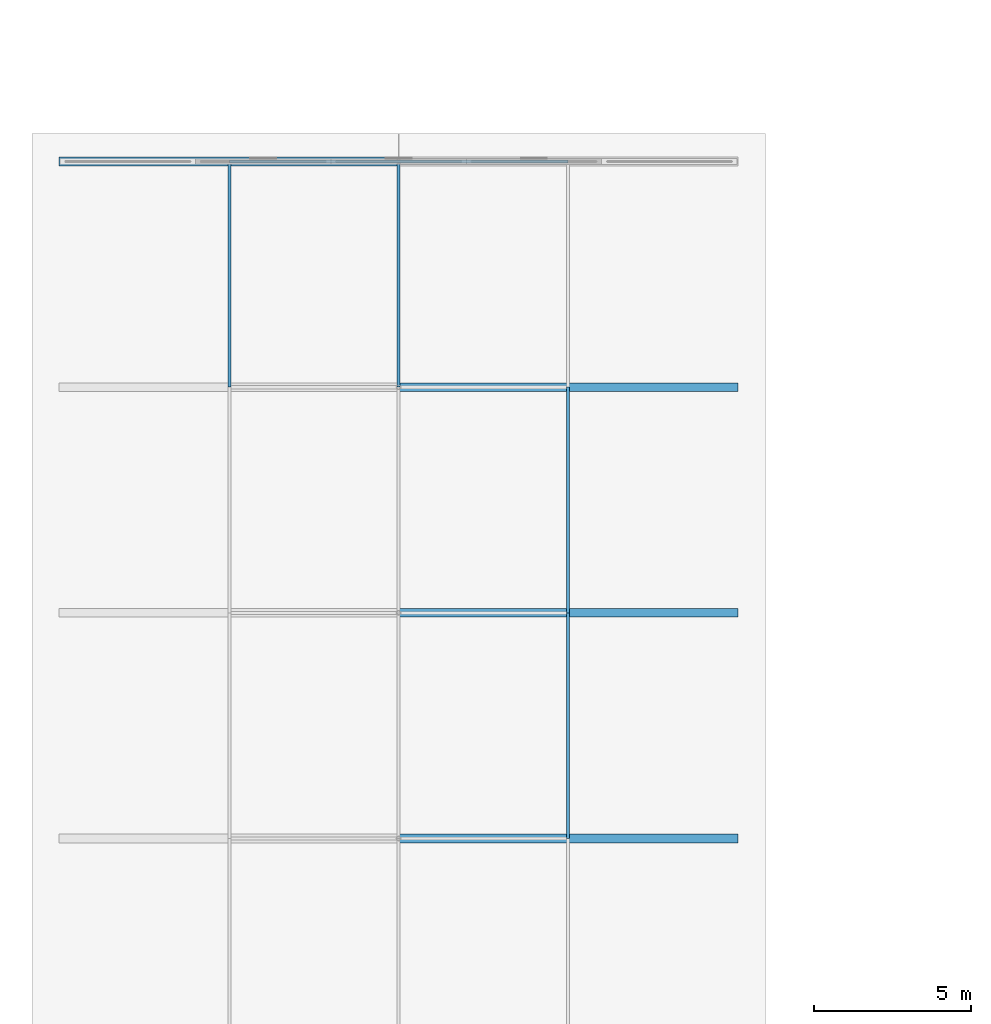
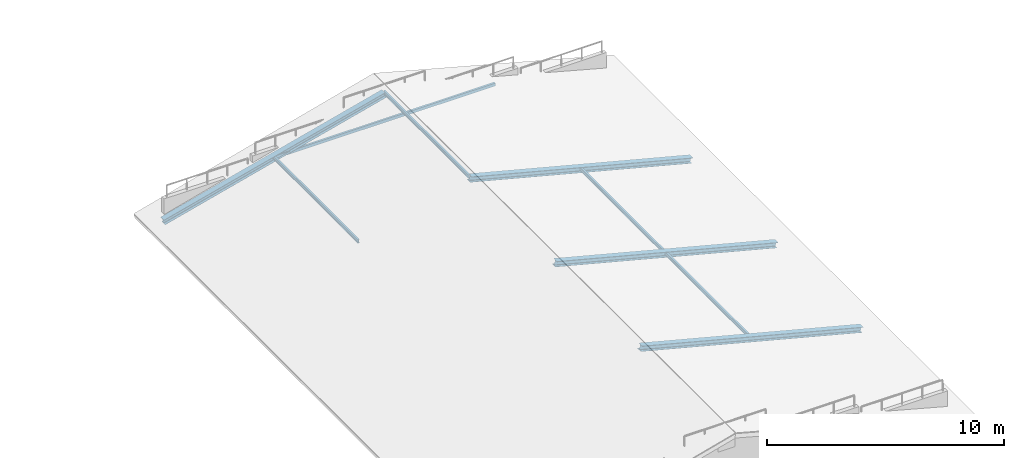
# One storey, part 17 of 65: 9 members.
"""IFC4 building model written with IfcOpenShell, lengths in metres."""

from ifc_helpers import new_model, si_unit, direction, frame, origin, origin_2d, place, context, subcontext, project, spatial, hollow_rectangle, i_section, extrude, material, material_profile, profile_set, type_object, element, save


model = new_model("IFC4")

# Units and contexts
model_context = context("Model", 3, precision=1e-05, world=origin(), true_north=direction((0.0, 1.0)))
body_context = subcontext(model_context, "Body", "Model", "MODEL_VIEW")
ifc_project = project(units=[si_unit("LENGTHUNIT", "METRE"), si_unit("AREAUNIT", "SQUARE_METRE"), si_unit("VOLUMEUNIT", "CUBIC_METRE"), si_unit("PLANEANGLEUNIT", "RADIAN"), si_unit("MASSUNIT", "GRAM", prefix="KILO"), si_unit("THERMODYNAMICTEMPERATUREUNIT", "KELVIN"), si_unit("POWERUNIT", "WATT")], contexts=[model_context])

# Site, building, storey
site_placement = place(None, origin())
site = spatial("IfcSite", under=ifc_project, at=site_placement, CompositionType="ELEMENT")
building_placement = place(site_placement, origin())
building = spatial("IfcBuilding", under=site, at=building_placement, Name="Tavuni Mirador Residences", CompositionType="ELEMENT")
storey_placement = place(building_placement, frame((0.0, 0.0, 29.699951171875)))
storey = spatial("IfcBuildingStorey", under=building, at=storey_placement, Name="L09", CompositionType="ELEMENT", Elevation=29.699951171875)

# Members
ifc_material = material(Name="Structural steel S355", Category="steel")
ifc_material_profile_1 = material_profile(ifc_material, hollow_rectangle(XDim=0.10009765625, YDim=0.14990234375, WallThickness=0.008056640625, at=origin_2d()), Name="RHS 150x100x8.0", Category="steel")
ifc_profile_set_1 = profile_set([ifc_material_profile_1], Name="Structural steel S355")
member_type_1 = type_object("IfcMemberType", Name="MT-BR-RHS150", PredefinedType="BRACE", material=ifc_profile_set_1)
member_1_placement = place(storey_placement, frame((9.0, 93.60009765625, 1.050048828125), z_axis=(1.0, 0.0, 0.0), x_axis=(0.0, 1.0, 0.0)))
element("IfcMember", 1, at=member_1_placement, inside=storey, type_object=member_type_1, Name="RTIE-BLK-B-04", PredefinedType="BRACE", context=body_context, shape_type="SweptSolid", body=[
    extrude(hollow_rectangle(XDim=0.10009765625, YDim=0.14990234375, WallThickness=0.008056640625, at=origin_2d()), origin(), (0.0, 0.0, 1.0), 10.800048828125),
])
ifc_material_profile_2 = material_profile(ifc_material, i_section(OverallWidth=0.280029296875, OverallDepth=0.27001953125, WebThickness=0.008056640625, FlangeThickness=0.012939453125, FilletRadius=0.02392578125, at=origin_2d()), Name="HEA 280", Category="steel")
ifc_profile_set_2 = profile_set([ifc_material_profile_2], Name="Structural steel S355")
member_type_2 = type_object("IfcMemberType", Name="MT-CH-HEA280", PredefinedType="CHORD", material=ifc_profile_set_2)
for number, where, z_axis, x_axis, name in (
    (2, (14.39990234375, 72.0, 2.449951171875), (0.968001426323, 0.0, -0.250944692386), (0.0, 1.0, 0.0), "RAF-BLK-B-01-E"),
    (3, (14.39990234375, 79.199951171875, 2.449951171875), (0.968001426323, 0.0, -0.250944692386), (0.0, 1.0, 0.0), "RAF-BLK-B-02-E"),
    (4, (14.39990234375, 86.39990234375, 2.449951171875), (0.968001426323, 0.0, -0.250944692386), (0.0, 1.0, 0.0), "RAF-BLK-B-03-E"),
):
    element("IfcMember", number, at=place(storey_placement, frame(where, z_axis=z_axis, x_axis=x_axis)), inside=storey, type_object=member_type_2, Name=name, PredefinedType="CHORD", context=body_context, shape_type="SweptSolid", body=[
        extrude(i_section(OverallWidth=0.280029296875, OverallDepth=0.27001953125, WebThickness=0.008056640625, FlangeThickness=0.012939453125, FilletRadius=0.02392578125, at=origin_2d()), origin(), (0.0, 0.0, 1.0), 11.156982421875),
    ])
member_2_placement = place(storey_placement, frame((3.60009765625, 93.60009765625, -0.349853515625), z_axis=(0.968000048288, 0.0, 0.250950007997), x_axis=(0.0, 1.0, 0.0)))
element("IfcMember", 5, at=member_2_placement, inside=storey, type_object=member_type_2, Name="RAF-BLK-B-04-W", PredefinedType="CHORD", context=body_context, shape_type="SweptSolid", body=[
    extrude(i_section(OverallWidth=0.280029296875, OverallDepth=0.27001953125, WebThickness=0.008056640625, FlangeThickness=0.012939453125, FilletRadius=0.02392578125, at=origin_2d()), origin(), (0.0, 0.0, 1.0), 11.15673828125),
])
ifc_material_profile_3 = material_profile(ifc_material, i_section(OverallWidth=0.091064453125, OverallDepth=0.179931640625, WebThickness=0.00537109375, FlangeThickness=0.008056640625, FilletRadius=0.009033203125, at=origin_2d()), Name="IPE 180", Category="steel")
ifc_profile_set_3 = profile_set([ifc_material_profile_3], Name="Structural steel S355")
member_type_3 = type_object("IfcMemberType", Name="MT-PR-IPE180", PredefinedType="PURLIN", material=ifc_profile_set_3)
for number, where, z_axis, x_axis, name in (
    (6, (9.0, 86.39990234375, 1.074951171875), (0.0, 1.0, 0.0), (-1.0, 0.0, 0.0), "RPUR-BLK-B-25-03"),
    (7, (14.39990234375, 86.39990234375, 2.525146484375), (0.0, 1.0, 0.0), (-1.0, 0.0, 0.0), "RPUR-BLK-B-50-03"),
):
    element("IfcMember", number, at=place(storey_placement, frame(where, z_axis=z_axis, x_axis=x_axis)), inside=storey, type_object=member_type_3, Name=name, PredefinedType="PURLIN", context=body_context, shape_type="SweptSolid", body=[
        extrude(i_section(OverallWidth=0.091064453125, OverallDepth=0.179931640625, WebThickness=0.00537109375, FlangeThickness=0.008056640625, FilletRadius=0.009033203125, at=origin_2d()), origin(), (0.0, 0.0, 1.0), 7.2001953125),
    ])
for number, where, z_axis, x_axis, name in (
    (8, (19.800048828125, 72.0, 1.074951171875), (0.0, 1.0, 0.0), (-1.0, 0.0, 0.0), "RPUR-BLK-B-75-01"),
    (9, (19.800048828125, 79.199951171875, 1.074951171875), (0.0, 1.0, 0.0), (-1.0, 0.0, 0.0), "RPUR-BLK-B-75-02"),
):
    element("IfcMember", number, at=place(storey_placement, frame(where, z_axis=z_axis, x_axis=x_axis)), inside=storey, type_object=member_type_3, Name=name, PredefinedType="PURLIN", context=body_context, shape_type="SweptSolid", body=[
        extrude(i_section(OverallWidth=0.091064453125, OverallDepth=0.179931640625, WebThickness=0.00537109375, FlangeThickness=0.008056640625, FilletRadius=0.009033203125, at=origin_2d()), origin(), (0.0, 0.0, 1.0), 7.199951171875),
    ])

save(model, "model.ifc")
